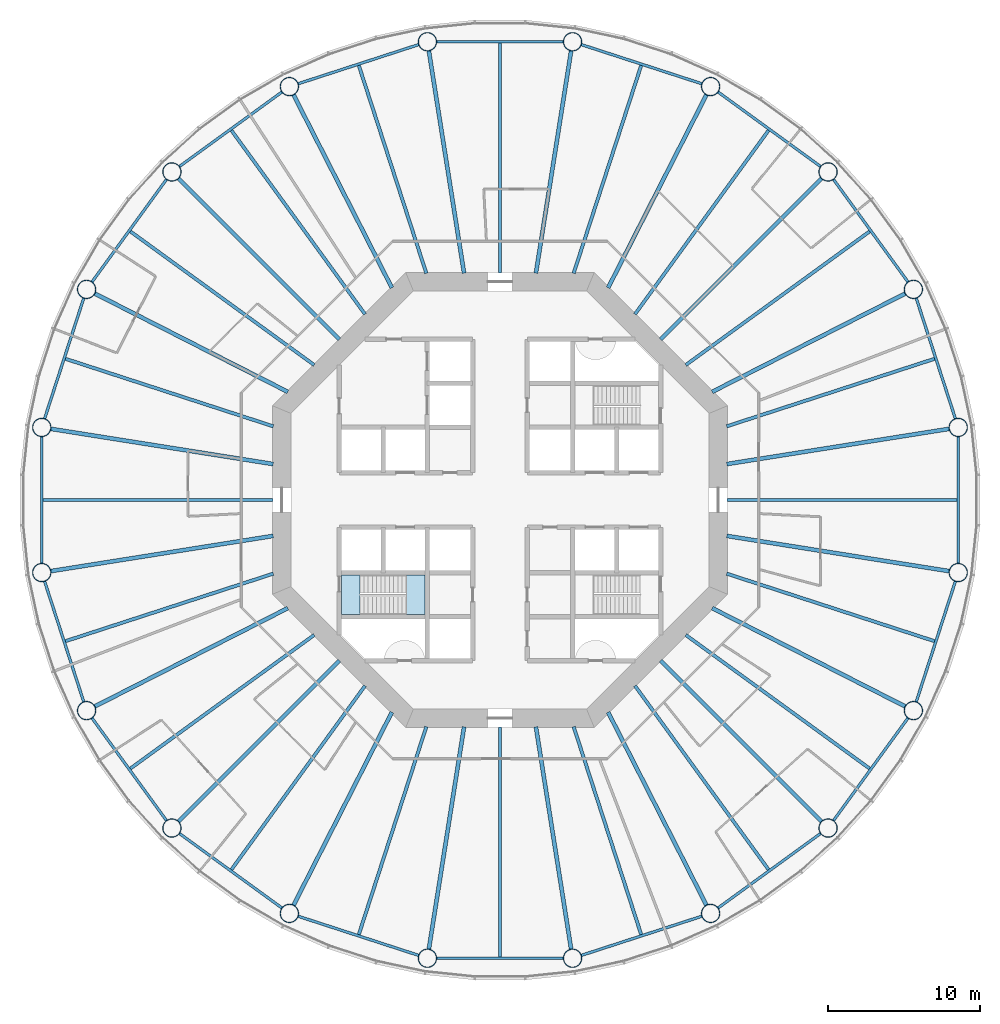
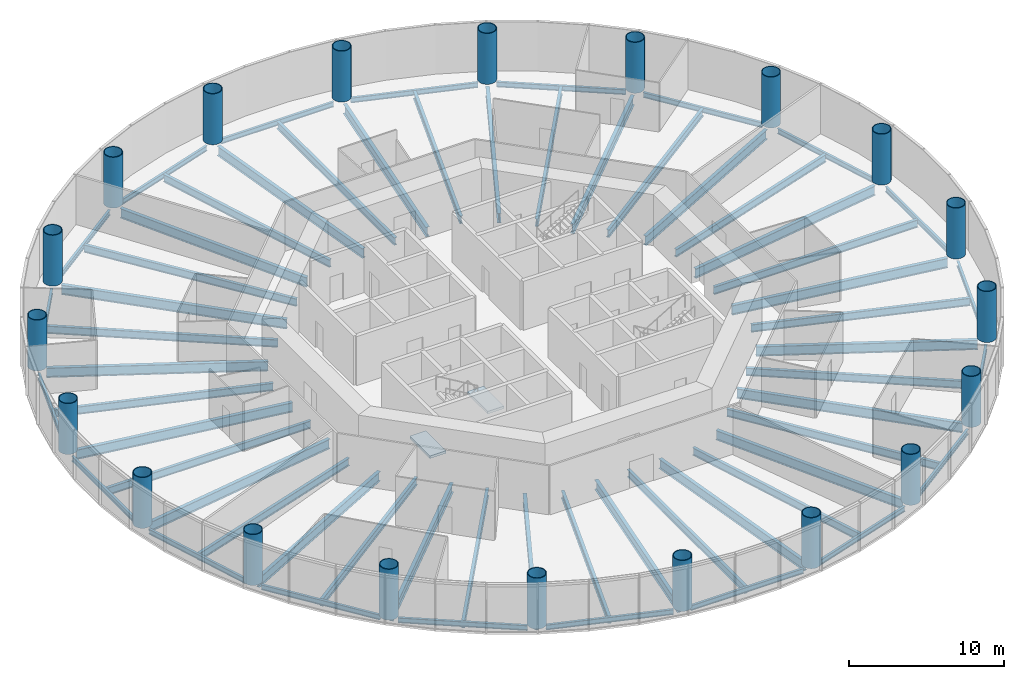
# One storey, part 1 of 13: 60 beams, 20 columns, 2 slabs, 1 element without a shape of its own.
"""IFC4 building model written with IfcOpenShell, lengths in metres."""

from ifc_helpers import new_model, si_unit, direction, frame, origin, origin_2d, place, context, subcontext, project, spatial, polyline, circle, hollow_circle, i_section, outline, extrude, material, layer, layer_set, material_profile, profile_set, type_object, element, aggregate, save


model = new_model("IFC4")

# Units and contexts
model_context = context("Model", 3, precision=1e-05, world=origin(), true_north=direction((0.0, 1.0)))
body_context = subcontext(model_context, "Body", "Model", "MODEL_VIEW")
ifc_project = project(units=[si_unit("LENGTHUNIT", "METRE"), si_unit("AREAUNIT", "SQUARE_METRE"), si_unit("VOLUMEUNIT", "CUBIC_METRE"), si_unit("PLANEANGLEUNIT", "RADIAN"), si_unit("MASSUNIT", "GRAM", prefix="KILO")], contexts=[model_context])

# Site, building, storey
site_placement = place(None, origin())
site = spatial("IfcSite", under=ifc_project, at=site_placement, CompositionType="ELEMENT")
building_placement = place(site_placement, origin())
building = spatial("IfcBuilding", under=site, at=building_placement, Name="Entoto Ring Tower", CompositionType="ELEMENT")
storey_placement = place(building_placement, frame((0.0, 0.0, 108.0)))
storey = spatial("IfcBuildingStorey", under=building, at=storey_placement, Name="L24", CompositionType="ELEMENT", Elevation=108.0)

# Columns
ifc_material_1 = material(Name="Steel S355", Category="steel")
ifc_material_profile_1 = material_profile(ifc_material_1, hollow_circle(Radius=0.625, WallThickness=0.054931640625, at=origin_2d()), Name="CHS 1250 x 55")
ifc_material_2 = material(Name="Concrete C60/75", Category="concrete")
ifc_material_profile_2 = material_profile(ifc_material_2, circle(Radius=0.570068359375, at=origin_2d()), Name="Concrete C60/75 infill")
ifc_profile_set_1 = profile_set([ifc_material_profile_1, ifc_material_profile_2], Name="Steel S355")
column_type = type_object("IfcColumnType", Name="Ring column 1250 x 55 concrete-filled tube", PredefinedType="COLUMN", material=ifc_profile_set_1)
for number, where, z_axis, x_axis, name in (
    (1, (120.22314453125, 84.786865234375, 0.0), (0.0, 0.0, 1.0), (1.0, 0.0, 0.0), "RC2 R01"),
    (2, (117.264892578125, 93.89208984375, 0.0), (0.0, 0.0, 1.0), (1.0, 0.0, 0.0), "RC2 R02"),
    (3, (111.637451171875, 101.637451171875, 0.0), (0.0, 0.0, 1.0), (1.0, 0.0, 0.0), "RC2 R03"),
    (4, (103.89208984375, 107.264892578125, 0.0), (0.0, 0.0, 1.0), (1.0, 0.0, 0.0), "RC2 R04"),
    (5, (94.786865234375, 110.22314453125, 0.0), (0.0, 0.0, 1.0), (1.0, 0.0, 0.0), "RC2 R05"),
    (6, (85.213134765625, 110.22314453125, 0.0), (0.0, 0.0, 1.0), (1.0, 0.0, 0.0), "RC2 R06"),
    (7, (76.10791015625, 107.264892578125, 0.0), (0.0, 0.0, 1.0), (1.0, 0.0, 0.0), "RC2 R07"),
    (8, (68.362548828125, 101.637451171875, 0.0), (0.0, 0.0, 1.0), (1.0, 0.0, 0.0), "RC2 R08"),
    (9, (62.735107421875, 93.89208984375, 0.0), (0.0, 0.0, 1.0), (1.0, 0.0, 0.0), "RC2 R09"),
    (10, (59.77685546875, 84.786865234375, 0.0), (0.0, 0.0, 1.0), (1.0, 0.0, 0.0), "RC2 R10"),
    (11, (59.77685546875, 75.213134765625, 0.0), (0.0, 0.0, 1.0), (1.0, 0.0, 0.0), "RC2 R11"),
    (12, (62.735107421875, 66.10791015625, 0.0), (0.0, 0.0, 1.0), (1.0, 0.0, 0.0), "RC2 R12"),
    (13, (68.362548828125, 58.362548828125, 0.0), (0.0, 0.0, 1.0), (1.0, 0.0, 0.0), "RC2 R13"),
    (14, (76.10791015625, 52.735107421875, 0.0), (0.0, 0.0, 1.0), (1.0, 0.0, 0.0), "RC2 R14"),
    (15, (85.213134765625, 49.77685546875, 0.0), (0.0, 0.0, 1.0), (1.0, 0.0, 0.0), "RC2 R15"),
    (16, (94.786865234375, 49.77685546875, 0.0), (0.0, 0.0, 1.0), (1.0, 0.0, 0.0), "RC2 R16"),
    (17, (103.89208984375, 52.735107421875, 0.0), (0.0, 0.0, 1.0), (1.0, 0.0, 0.0), "RC2 R17"),
    (18, (111.637451171875, 58.362548828125, 0.0), (0.0, 0.0, 1.0), (1.0, 0.0, 0.0), "RC2 R18"),
    (19, (117.264892578125, 66.10791015625, 0.0), (0.0, 0.0, 1.0), (1.0, 0.0, 0.0), "RC2 R19"),
    (20, (120.22314453125, 75.213134765625, 0.0), (0.0, 0.0, 1.0), (1.0, 0.0, 0.0), "RC2 R20"),
):
    element("IfcColumn", number, at=place(storey_placement, frame(where, z_axis=z_axis, x_axis=x_axis)), inside=storey, type_object=column_type, Name=name, PredefinedType="COLUMN", context=body_context, shape_type="SweptSolid", body=[
        extrude(hollow_circle(Radius=0.625, WallThickness=0.054931640625, at=origin_2d()), origin(), (0.0, 0.0, 1.0), 4.0),
    ])

# Beams
ifc_material_3 = material(Name="Steel S355", Category="steel")
ifc_material_profile_3 = material_profile(ifc_material_3, i_section(OverallWidth=0.179931640625, OverallDepth=0.39990234375, WebThickness=0.008544921875, FlangeThickness=0.013427734375, FilletRadius=0.02099609375, at=origin_2d()), Name="IPE 400")
ifc_profile_set_2 = profile_set([ifc_material_profile_3], Name="Steel S355")
beam_type_1 = type_object("IfcBeamType", Name="Edge beam IPE 400", PredefinedType="SPANDREL", material=ifc_profile_set_2)
for number, where, z_axis, x_axis, name in (
    (21, (120.038330078125, 85.35595703125, -0.35009765625), (-0.309014241039, 0.951057410904, 0.0), (-0.951057410904, -0.309014241039, 0.0), "Edge beam L24 01"),
    (22, (116.9130859375, 94.376220703125, -0.35009765625), (-0.587783458554, 0.8090182976, 0.0), (-0.8090182976, -0.587783458554, 0.0), "Edge beam L24 02"),
    (23, (111.1533203125, 101.9892578125, -0.35009765625), (-0.8090182976, 0.587783458554, 0.0), (-0.587783458554, -0.8090182976, 0.0), "Edge beam L24 03"),
    (24, (103.322998046875, 107.44970703125, -0.35009765625), (-0.951057410904, 0.309014241039, 0.0), (-0.309014241039, -0.951057410904, 0.0), "Edge beam L24 04"),
    (25, (94.1884765625, 110.22314453125, -0.35009765625), (-1.0, 0.0, 0.0), (0.0, -1.0, 0.0), "Edge beam L24 05"),
    (26, (84.64404296875, 110.038330078125, -0.35009765625), (-0.951057410904, -0.309014241039, 0.0), (0.309014241039, -0.951057410904, 0.0), "Edge beam L24 06"),
    (27, (75.623779296875, 106.9130859375, -0.35009765625), (-0.8090182976, -0.587783458554, 0.0), (0.587783458554, -0.8090182976, 0.0), "Edge beam L24 07"),
    (28, (68.0107421875, 101.1533203125, -0.35009765625), (-0.587783458554, -0.8090182976, 0.0), (0.8090182976, -0.587783458554, 0.0), "Edge beam L24 08"),
    (29, (62.55029296875, 93.322998046875, -0.35009765625), (-0.309014241039, -0.951057410904, 0.0), (0.951057410904, -0.309014241039, 0.0), "Edge beam L24 09"),
    (30, (59.77685546875, 84.1884765625, -0.35009765625), (0.0, -1.0, 0.0), (1.0, 0.0, 0.0), "Edge beam L24 10"),
    (31, (59.961669921875, 74.64404296875, -0.35009765625), (0.309014241039, -0.951057410904, 0.0), (0.951057410904, 0.309014241039, 0.0), "Edge beam L24 11"),
    (32, (63.0869140625, 65.623779296875, -0.35009765625), (0.587783458554, -0.8090182976, 0.0), (0.8090182976, 0.587783458554, 0.0), "Edge beam L24 12"),
    (33, (68.8466796875, 58.0107421875, -0.35009765625), (0.8090182976, -0.587783458554, 0.0), (0.587783458554, 0.8090182976, 0.0), "Edge beam L24 13"),
    (34, (76.677001953125, 52.55029296875, -0.35009765625), (0.951057410904, -0.309014241039, 0.0), (0.309014241039, 0.951057410904, 0.0), "Edge beam L24 14"),
    (35, (85.8115234375, 49.77685546875, -0.35009765625), (1.0, 0.0, 0.0), (0.0, 1.0, 0.0), "Edge beam L24 15"),
    (36, (95.35595703125, 49.961669921875, -0.35009765625), (0.951057410904, 0.309014241039, 0.0), (-0.309014241039, 0.951057410904, 0.0), "Edge beam L24 16"),
    (37, (104.376220703125, 53.0869140625, -0.35009765625), (0.8090182976, 0.587783458554, 0.0), (-0.587783458554, 0.8090182976, 0.0), "Edge beam L24 17"),
    (38, (111.9892578125, 58.8466796875, -0.35009765625), (0.587783458554, 0.8090182976, 0.0), (-0.8090182976, 0.587783458554, 0.0), "Edge beam L24 18"),
    (39, (117.44970703125, 66.677001953125, -0.35009765625), (0.309014241039, 0.951057410904, 0.0), (-0.951057410904, 0.309014241039, 0.0), "Edge beam L24 19"),
    (40, (120.22314453125, 75.8115234375, -0.35009765625), (0.0, 1.0, 0.0), (-1.0, 0.0, 0.0), "Edge beam L24 20"),
):
    element("IfcBeam", number, at=place(storey_placement, frame(where, z_axis=z_axis, x_axis=x_axis)), inside=storey, type_object=beam_type_1, Name=name, PredefinedType="SPANDREL", context=body_context, shape_type="SweptSolid", body=[
        extrude(i_section(OverallWidth=0.179931640625, OverallDepth=0.39990234375, WebThickness=0.008544921875, FlangeThickness=0.013427734375, FilletRadius=0.02099609375, at=origin_2d()), origin(), (0.0, 0.0, 1.0), 8.376953125),
    ])
ifc_material_4 = material(Name="Steel S355", Category="steel")
ifc_material_profile_4 = material_profile(ifc_material_4, i_section(OverallWidth=0.262939453125, OverallDepth=0.7529296875, WebThickness=0.011474609375, FlangeThickness=0.01708984375, FilletRadius=0.01708984375, at=origin_2d()), Name="IPE 750 x 137")
ifc_profile_set_3 = profile_set([ifc_material_profile_4], Name="Steel S355")
beam_type_2 = type_object("IfcBeamType", Name="Primary floor beam IPE 750 x 137", PredefinedType="BEAM", material=ifc_profile_set_3)
beam_1_placement = place(storey_placement, frame((104.959716796875, 82.369384765625, -0.526611328125), z_axis=(0.98768960451, 0.156426484787, 0.0), x_axis=(-0.156426484787, 0.98768960451, 0.0)))
element("IfcBeam", 41, at=beam_1_placement, inside=storey, type_object=beam_type_2, Name="Primary L24 R01", PredefinedType="BEAM", context=body_context, shape_type="SweptSolid", body=[
    extrude(i_section(OverallWidth=0.262939453125, OverallDepth=0.7529296875, WebThickness=0.011474609375, FlangeThickness=0.01708984375, FilletRadius=0.01708984375, at=origin_2d()), origin(), (0.0, 0.0, 1.0), 14.86279296875),
])
beam_2_placement = place(storey_placement, frame((103.9970703125, 87.1318359375, -0.526611328125), z_axis=(0.891007312585, 0.453988952421, 0.0), x_axis=(-0.453988952421, 0.891007312585, 0.0)))
element("IfcBeam", 42, at=beam_2_placement, inside=storey, type_object=beam_type_2, Name="Primary L24 R02", PredefinedType="BEAM", context=body_context, shape_type="SweptSolid", body=[
    extrude(i_section(OverallWidth=0.262939453125, OverallDepth=0.7529296875, WebThickness=0.011474609375, FlangeThickness=0.01708984375, FilletRadius=0.01708984375, at=origin_2d()), origin(), (0.0, 0.0, 1.0), 14.2998046875),
])
beam_3_placement = place(storey_placement, frame((100.592529296875, 90.592529296875, -0.526611328125), z_axis=(0.707106781187, 0.707106781187, 0.0), x_axis=(-0.707106781187, 0.707106781187, 0.0)))
element("IfcBeam", 43, at=beam_3_placement, inside=storey, type_object=beam_type_2, Name="Primary L24 R03", PredefinedType="BEAM", context=body_context, shape_type="SweptSolid", body=[
    extrude(i_section(OverallWidth=0.262939453125, OverallDepth=0.7529296875, WebThickness=0.011474609375, FlangeThickness=0.01708984375, FilletRadius=0.01708984375, at=origin_2d()), origin(), (0.0, 0.0, 1.0), 15.029052734375),
])
beam_4_placement = place(storey_placement, frame((97.1318359375, 93.9970703125, -0.526611328125), z_axis=(0.453988952421, 0.891007312585, 0.0), x_axis=(-0.891007312585, 0.453988952421, 0.0)))
element("IfcBeam", 44, at=beam_4_placement, inside=storey, type_object=beam_type_2, Name="Primary L24 R04", PredefinedType="BEAM", context=body_context, shape_type="SweptSolid", body=[
    extrude(i_section(OverallWidth=0.262939453125, OverallDepth=0.7529296875, WebThickness=0.011474609375, FlangeThickness=0.01708984375, FilletRadius=0.01708984375, at=origin_2d()), origin(), (0.0, 0.0, 1.0), 14.2998046875),
])
for number, where, z_axis, x_axis, name in (
    (45, (92.369384765625, 94.959716796875, -0.526611328125), (0.156426484787, 0.98768960451, 0.0), (-0.98768960451, 0.156426484787, 0.0), "Primary L24 R05"),
    (46, (87.630615234375, 94.959716796875, -0.526611328125), (-0.156426484787, 0.98768960451, 0.0), (-0.98768960451, -0.156426484787, 0.0), "Primary L24 R06"),
):
    element("IfcBeam", number, at=place(storey_placement, frame(where, z_axis=z_axis, x_axis=x_axis)), inside=storey, type_object=beam_type_2, Name=name, PredefinedType="BEAM", context=body_context, shape_type="SweptSolid", body=[
        extrude(i_section(OverallWidth=0.262939453125, OverallDepth=0.7529296875, WebThickness=0.011474609375, FlangeThickness=0.01708984375, FilletRadius=0.01708984375, at=origin_2d()), origin(), (0.0, 0.0, 1.0), 14.86279296875),
    ])
beam_5_placement = place(storey_placement, frame((82.8681640625, 93.9970703125, -0.526611328125), z_axis=(-0.453988952421, 0.891007312585, 0.0), x_axis=(-0.891007312585, -0.453988952421, 0.0)))
element("IfcBeam", 47, at=beam_5_placement, inside=storey, type_object=beam_type_2, Name="Primary L24 R07", PredefinedType="BEAM", context=body_context, shape_type="SweptSolid", body=[
    extrude(i_section(OverallWidth=0.262939453125, OverallDepth=0.7529296875, WebThickness=0.011474609375, FlangeThickness=0.01708984375, FilletRadius=0.01708984375, at=origin_2d()), origin(), (0.0, 0.0, 1.0), 14.2998046875),
])
beam_6_placement = place(storey_placement, frame((79.407470703125, 90.592529296875, -0.526611328125), z_axis=(-0.707106781187, 0.707106781187, 0.0), x_axis=(-0.707106781187, -0.707106781187, 0.0)))
element("IfcBeam", 48, at=beam_6_placement, inside=storey, type_object=beam_type_2, Name="Primary L24 R08", PredefinedType="BEAM", context=body_context, shape_type="SweptSolid", body=[
    extrude(i_section(OverallWidth=0.262939453125, OverallDepth=0.7529296875, WebThickness=0.011474609375, FlangeThickness=0.01708984375, FilletRadius=0.01708984375, at=origin_2d()), origin(), (0.0, 0.0, 1.0), 15.029052734375),
])
beam_7_placement = place(storey_placement, frame((76.0029296875, 87.1318359375, -0.526611328125), z_axis=(-0.891007312585, 0.453988952421, 0.0), x_axis=(-0.453988952421, -0.891007312585, 0.0)))
element("IfcBeam", 49, at=beam_7_placement, inside=storey, type_object=beam_type_2, Name="Primary L24 R09", PredefinedType="BEAM", context=body_context, shape_type="SweptSolid", body=[
    extrude(i_section(OverallWidth=0.262939453125, OverallDepth=0.7529296875, WebThickness=0.011474609375, FlangeThickness=0.01708984375, FilletRadius=0.01708984375, at=origin_2d()), origin(), (0.0, 0.0, 1.0), 14.2998046875),
])
for number, where, z_axis, x_axis, name in (
    (50, (75.040283203125, 82.369384765625, -0.526611328125), (-0.98768960451, 0.156426484787, 0.0), (-0.156426484787, -0.98768960451, 0.0), "Primary L24 R10"),
    (51, (75.040283203125, 77.630615234375, -0.526611328125), (-0.98768960451, -0.156426484787, 0.0), (0.156426484787, -0.98768960451, 0.0), "Primary L24 R11"),
):
    element("IfcBeam", number, at=place(storey_placement, frame(where, z_axis=z_axis, x_axis=x_axis)), inside=storey, type_object=beam_type_2, Name=name, PredefinedType="BEAM", context=body_context, shape_type="SweptSolid", body=[
        extrude(i_section(OverallWidth=0.262939453125, OverallDepth=0.7529296875, WebThickness=0.011474609375, FlangeThickness=0.01708984375, FilletRadius=0.01708984375, at=origin_2d()), origin(), (0.0, 0.0, 1.0), 14.86279296875),
    ])
beam_8_placement = place(storey_placement, frame((76.0029296875, 72.8681640625, -0.526611328125), z_axis=(-0.891007312585, -0.453988952421, 0.0), x_axis=(0.453988952421, -0.891007312585, 0.0)))
element("IfcBeam", 52, at=beam_8_placement, inside=storey, type_object=beam_type_2, Name="Primary L24 R12", PredefinedType="BEAM", context=body_context, shape_type="SweptSolid", body=[
    extrude(i_section(OverallWidth=0.262939453125, OverallDepth=0.7529296875, WebThickness=0.011474609375, FlangeThickness=0.01708984375, FilletRadius=0.01708984375, at=origin_2d()), origin(), (0.0, 0.0, 1.0), 14.2998046875),
])
beam_9_placement = place(storey_placement, frame((79.407470703125, 69.407470703125, -0.526611328125), z_axis=(-0.707106781187, -0.707106781187, 0.0), x_axis=(0.707106781187, -0.707106781187, 0.0)))
element("IfcBeam", 53, at=beam_9_placement, inside=storey, type_object=beam_type_2, Name="Primary L24 R13", PredefinedType="BEAM", context=body_context, shape_type="SweptSolid", body=[
    extrude(i_section(OverallWidth=0.262939453125, OverallDepth=0.7529296875, WebThickness=0.011474609375, FlangeThickness=0.01708984375, FilletRadius=0.01708984375, at=origin_2d()), origin(), (0.0, 0.0, 1.0), 15.029052734375),
])
beam_10_placement = place(storey_placement, frame((82.8681640625, 66.0029296875, -0.526611328125), z_axis=(-0.453988952421, -0.891007312585, 0.0), x_axis=(0.891007312585, -0.453988952421, 0.0)))
element("IfcBeam", 54, at=beam_10_placement, inside=storey, type_object=beam_type_2, Name="Primary L24 R14", PredefinedType="BEAM", context=body_context, shape_type="SweptSolid", body=[
    extrude(i_section(OverallWidth=0.262939453125, OverallDepth=0.7529296875, WebThickness=0.011474609375, FlangeThickness=0.01708984375, FilletRadius=0.01708984375, at=origin_2d()), origin(), (0.0, 0.0, 1.0), 14.2998046875),
])
for number, where, z_axis, x_axis, name in (
    (55, (87.630615234375, 65.040283203125, -0.526611328125), (-0.156426484787, -0.98768960451, 0.0), (0.98768960451, -0.156426484787, 0.0), "Primary L24 R15"),
    (56, (92.369384765625, 65.040283203125, -0.526611328125), (0.156426484787, -0.98768960451, 0.0), (0.98768960451, 0.156426484787, 0.0), "Primary L24 R16"),
):
    element("IfcBeam", number, at=place(storey_placement, frame(where, z_axis=z_axis, x_axis=x_axis)), inside=storey, type_object=beam_type_2, Name=name, PredefinedType="BEAM", context=body_context, shape_type="SweptSolid", body=[
        extrude(i_section(OverallWidth=0.262939453125, OverallDepth=0.7529296875, WebThickness=0.011474609375, FlangeThickness=0.01708984375, FilletRadius=0.01708984375, at=origin_2d()), origin(), (0.0, 0.0, 1.0), 14.86279296875),
    ])
beam_11_placement = place(storey_placement, frame((97.1318359375, 66.0029296875, -0.526611328125), z_axis=(0.453988952421, -0.891007312585, 0.0), x_axis=(0.891007312585, 0.453988952421, 0.0)))
element("IfcBeam", 57, at=beam_11_placement, inside=storey, type_object=beam_type_2, Name="Primary L24 R17", PredefinedType="BEAM", context=body_context, shape_type="SweptSolid", body=[
    extrude(i_section(OverallWidth=0.262939453125, OverallDepth=0.7529296875, WebThickness=0.011474609375, FlangeThickness=0.01708984375, FilletRadius=0.01708984375, at=origin_2d()), origin(), (0.0, 0.0, 1.0), 14.2998046875),
])
beam_12_placement = place(storey_placement, frame((100.592529296875, 69.407470703125, -0.526611328125), z_axis=(0.707106781187, -0.707106781187, 0.0), x_axis=(0.707106781187, 0.707106781187, 0.0)))
element("IfcBeam", 58, at=beam_12_placement, inside=storey, type_object=beam_type_2, Name="Primary L24 R18", PredefinedType="BEAM", context=body_context, shape_type="SweptSolid", body=[
    extrude(i_section(OverallWidth=0.262939453125, OverallDepth=0.7529296875, WebThickness=0.011474609375, FlangeThickness=0.01708984375, FilletRadius=0.01708984375, at=origin_2d()), origin(), (0.0, 0.0, 1.0), 15.029052734375),
])
beam_13_placement = place(storey_placement, frame((103.9970703125, 72.8681640625, -0.526611328125), z_axis=(0.891007312585, -0.453988952421, 0.0), x_axis=(0.453988952421, 0.891007312585, 0.0)))
element("IfcBeam", 59, at=beam_13_placement, inside=storey, type_object=beam_type_2, Name="Primary L24 R19", PredefinedType="BEAM", context=body_context, shape_type="SweptSolid", body=[
    extrude(i_section(OverallWidth=0.262939453125, OverallDepth=0.7529296875, WebThickness=0.011474609375, FlangeThickness=0.01708984375, FilletRadius=0.01708984375, at=origin_2d()), origin(), (0.0, 0.0, 1.0), 14.2998046875),
])
beam_14_placement = place(storey_placement, frame((104.959716796875, 77.630615234375, -0.526611328125), z_axis=(0.98768960451, -0.156426484787, 0.0), x_axis=(0.156426484787, 0.98768960451, 0.0)))
element("IfcBeam", 60, at=beam_14_placement, inside=storey, type_object=beam_type_2, Name="Primary L24 R20", PredefinedType="BEAM", context=body_context, shape_type="SweptSolid", body=[
    extrude(i_section(OverallWidth=0.262939453125, OverallDepth=0.7529296875, WebThickness=0.011474609375, FlangeThickness=0.01708984375, FilletRadius=0.01708984375, at=origin_2d()), origin(), (0.0, 0.0, 1.0), 14.86279296875),
])
ifc_material_5 = material(Name="Steel S355", Category="steel")
ifc_material_profile_5 = material_profile(ifc_material_5, i_section(OverallWidth=0.219970703125, OverallDepth=0.60009765625, WebThickness=0.011962890625, FlangeThickness=0.01904296875, FilletRadius=0.02392578125, at=origin_2d()), Name="IPE 600")
ifc_profile_set_4 = profile_set([ifc_material_profile_5], Name="Steel S355")
beam_type_3 = type_object("IfcBeamType", Name="Secondary floor beam IPE 600", PredefinedType="JOIST", material=ifc_profile_set_4)
beam_15_placement = place(storey_placement, frame((104.947021484375, 84.856689453125, -0.449951171875), z_axis=(0.951057212949, 0.309014850288, 0.0), x_axis=(-0.309014850288, 0.951057212949, 0.0)))
element("IfcBeam", 61, at=beam_15_placement, inside=storey, type_object=beam_type_3, Name="Secondary beam L24 01", PredefinedType="JOIST", context=body_context, shape_type="SweptSolid", body=[
    extrude(i_section(OverallWidth=0.219970703125, OverallDepth=0.60009765625, WebThickness=0.011962890625, FlangeThickness=0.01904296875, FilletRadius=0.02392578125, at=origin_2d()), origin(), (0.0, 0.0, 1.0), 14.4169921875),
])
for number, where, z_axis, x_axis, name in (
    (62, (102.25634765625, 88.90478515625, -0.449951171875), (0.809019238239, 0.587782163866, 0.0), (-0.587782163866, 0.809019238239, 0.0), "Secondary beam L24 02"),
    (63, (98.90478515625, 92.25634765625, -0.449951171875), (0.587782163866, 0.809019238239, 0.0), (-0.809019238239, 0.587782163866, 0.0), "Secondary beam L24 03"),
):
    element("IfcBeam", number, at=place(storey_placement, frame(where, z_axis=z_axis, x_axis=x_axis)), inside=storey, type_object=beam_type_3, Name=name, PredefinedType="JOIST", context=body_context, shape_type="SweptSolid", body=[
        extrude(i_section(OverallWidth=0.219970703125, OverallDepth=0.60009765625, WebThickness=0.011962890625, FlangeThickness=0.01904296875, FilletRadius=0.02392578125, at=origin_2d()), origin(), (0.0, 0.0, 1.0), 14.983642578125),
    ])
beam_16_placement = place(storey_placement, frame((94.856689453125, 94.947021484375, -0.449951171875), z_axis=(0.309014850288, 0.951057212949, 0.0), x_axis=(-0.951057212949, 0.309014850288, 0.0)))
element("IfcBeam", 64, at=beam_16_placement, inside=storey, type_object=beam_type_3, Name="Secondary beam L24 04", PredefinedType="JOIST", context=body_context, shape_type="SweptSolid", body=[
    extrude(i_section(OverallWidth=0.219970703125, OverallDepth=0.60009765625, WebThickness=0.011962890625, FlangeThickness=0.01904296875, FilletRadius=0.02392578125, at=origin_2d()), origin(), (0.0, 0.0, 1.0), 14.4169921875),
])
beam_17_placement = place(storey_placement, frame((90.0, 94.97998046875, -0.449951171875), z_axis=(0.0, 1.0, 0.0), x_axis=(-1.0, 0.0, 0.0)))
element("IfcBeam", 65, at=beam_17_placement, inside=storey, type_object=beam_type_3, Name="Secondary beam L24 05", PredefinedType="JOIST", context=body_context, shape_type="SweptSolid", body=[
    extrude(i_section(OverallWidth=0.219970703125, OverallDepth=0.60009765625, WebThickness=0.011962890625, FlangeThickness=0.01904296875, FilletRadius=0.02392578125, at=origin_2d()), origin(), (0.0, 0.0, 1.0), 15.1533203125),
])
beam_18_placement = place(storey_placement, frame((85.143310546875, 94.947021484375, -0.449951171875), z_axis=(-0.309014850288, 0.951057212949, 0.0), x_axis=(-0.951057212949, -0.309014850288, 0.0)))
element("IfcBeam", 66, at=beam_18_placement, inside=storey, type_object=beam_type_3, Name="Secondary beam L24 06", PredefinedType="JOIST", context=body_context, shape_type="SweptSolid", body=[
    extrude(i_section(OverallWidth=0.219970703125, OverallDepth=0.60009765625, WebThickness=0.011962890625, FlangeThickness=0.01904296875, FilletRadius=0.02392578125, at=origin_2d()), origin(), (0.0, 0.0, 1.0), 14.4169921875),
])
for number, where, z_axis, x_axis, name in (
    (67, (81.09521484375, 92.25634765625, -0.449951171875), (-0.587782163866, 0.809019238239, 0.0), (-0.809019238239, -0.587782163866, 0.0), "Secondary beam L24 07"),
    (68, (77.74365234375, 88.90478515625, -0.449951171875), (-0.809019238239, 0.587782163866, 0.0), (-0.587782163866, -0.809019238239, 0.0), "Secondary beam L24 08"),
):
    element("IfcBeam", number, at=place(storey_placement, frame(where, z_axis=z_axis, x_axis=x_axis)), inside=storey, type_object=beam_type_3, Name=name, PredefinedType="JOIST", context=body_context, shape_type="SweptSolid", body=[
        extrude(i_section(OverallWidth=0.219970703125, OverallDepth=0.60009765625, WebThickness=0.011962890625, FlangeThickness=0.01904296875, FilletRadius=0.02392578125, at=origin_2d()), origin(), (0.0, 0.0, 1.0), 14.983642578125),
    ])
beam_19_placement = place(storey_placement, frame((75.052978515625, 84.856689453125, -0.449951171875), z_axis=(-0.951057212949, 0.309014850288, 0.0), x_axis=(-0.309014850288, -0.951057212949, 0.0)))
element("IfcBeam", 69, at=beam_19_placement, inside=storey, type_object=beam_type_3, Name="Secondary beam L24 09", PredefinedType="JOIST", context=body_context, shape_type="SweptSolid", body=[
    extrude(i_section(OverallWidth=0.219970703125, OverallDepth=0.60009765625, WebThickness=0.011962890625, FlangeThickness=0.01904296875, FilletRadius=0.02392578125, at=origin_2d()), origin(), (0.0, 0.0, 1.0), 14.4169921875),
])
beam_20_placement = place(storey_placement, frame((75.02001953125, 80.0, -0.449951171875), z_axis=(-1.0, 0.0, 0.0), x_axis=(0.0, -1.0, 0.0)))
element("IfcBeam", 70, at=beam_20_placement, inside=storey, type_object=beam_type_3, Name="Secondary beam L24 10", PredefinedType="JOIST", context=body_context, shape_type="SweptSolid", body=[
    extrude(i_section(OverallWidth=0.219970703125, OverallDepth=0.60009765625, WebThickness=0.011962890625, FlangeThickness=0.01904296875, FilletRadius=0.02392578125, at=origin_2d()), origin(), (0.0, 0.0, 1.0), 15.1533203125),
])
beam_21_placement = place(storey_placement, frame((75.052978515625, 75.143310546875, -0.449951171875), z_axis=(-0.951057212949, -0.309014850288, 0.0), x_axis=(0.309014850288, -0.951057212949, 0.0)))
element("IfcBeam", 71, at=beam_21_placement, inside=storey, type_object=beam_type_3, Name="Secondary beam L24 11", PredefinedType="JOIST", context=body_context, shape_type="SweptSolid", body=[
    extrude(i_section(OverallWidth=0.219970703125, OverallDepth=0.60009765625, WebThickness=0.011962890625, FlangeThickness=0.01904296875, FilletRadius=0.02392578125, at=origin_2d()), origin(), (0.0, 0.0, 1.0), 14.4169921875),
])
for number, where, z_axis, x_axis, name in (
    (72, (77.74365234375, 71.09521484375, -0.449951171875), (-0.809019238239, -0.587782163866, 0.0), (0.587782163866, -0.809019238239, 0.0), "Secondary beam L24 12"),
    (73, (81.09521484375, 67.74365234375, -0.449951171875), (-0.587782163866, -0.809019238239, 0.0), (0.809019238239, -0.587782163866, 0.0), "Secondary beam L24 13"),
):
    element("IfcBeam", number, at=place(storey_placement, frame(where, z_axis=z_axis, x_axis=x_axis)), inside=storey, type_object=beam_type_3, Name=name, PredefinedType="JOIST", context=body_context, shape_type="SweptSolid", body=[
        extrude(i_section(OverallWidth=0.219970703125, OverallDepth=0.60009765625, WebThickness=0.011962890625, FlangeThickness=0.01904296875, FilletRadius=0.02392578125, at=origin_2d()), origin(), (0.0, 0.0, 1.0), 14.983642578125),
    ])
beam_22_placement = place(storey_placement, frame((85.143310546875, 65.052978515625, -0.449951171875), z_axis=(-0.309014850288, -0.951057212949, 0.0), x_axis=(0.951057212949, -0.309014850288, 0.0)))
element("IfcBeam", 74, at=beam_22_placement, inside=storey, type_object=beam_type_3, Name="Secondary beam L24 14", PredefinedType="JOIST", context=body_context, shape_type="SweptSolid", body=[
    extrude(i_section(OverallWidth=0.219970703125, OverallDepth=0.60009765625, WebThickness=0.011962890625, FlangeThickness=0.01904296875, FilletRadius=0.02392578125, at=origin_2d()), origin(), (0.0, 0.0, 1.0), 14.4169921875),
])
beam_23_placement = place(storey_placement, frame((90.0, 65.02001953125, -0.449951171875), z_axis=(0.0, -1.0, 0.0), x_axis=(1.0, 0.0, 0.0)))
element("IfcBeam", 75, at=beam_23_placement, inside=storey, type_object=beam_type_3, Name="Secondary beam L24 15", PredefinedType="JOIST", context=body_context, shape_type="SweptSolid", body=[
    extrude(i_section(OverallWidth=0.219970703125, OverallDepth=0.60009765625, WebThickness=0.011962890625, FlangeThickness=0.01904296875, FilletRadius=0.02392578125, at=origin_2d()), origin(), (0.0, 0.0, 1.0), 15.1533203125),
])
beam_24_placement = place(storey_placement, frame((94.856689453125, 65.052978515625, -0.449951171875), z_axis=(0.309014850288, -0.951057212949, 0.0), x_axis=(0.951057212949, 0.309014850288, 0.0)))
element("IfcBeam", 76, at=beam_24_placement, inside=storey, type_object=beam_type_3, Name="Secondary beam L24 16", PredefinedType="JOIST", context=body_context, shape_type="SweptSolid", body=[
    extrude(i_section(OverallWidth=0.219970703125, OverallDepth=0.60009765625, WebThickness=0.011962890625, FlangeThickness=0.01904296875, FilletRadius=0.02392578125, at=origin_2d()), origin(), (0.0, 0.0, 1.0), 14.4169921875),
])
for number, where, z_axis, x_axis, name in (
    (77, (98.90478515625, 67.74365234375, -0.449951171875), (0.587782163866, -0.809019238239, 0.0), (0.809019238239, 0.587782163866, 0.0), "Secondary beam L24 17"),
    (78, (102.25634765625, 71.09521484375, -0.449951171875), (0.809019238239, -0.587782163866, 0.0), (0.587782163866, 0.809019238239, 0.0), "Secondary beam L24 18"),
):
    element("IfcBeam", number, at=place(storey_placement, frame(where, z_axis=z_axis, x_axis=x_axis)), inside=storey, type_object=beam_type_3, Name=name, PredefinedType="JOIST", context=body_context, shape_type="SweptSolid", body=[
        extrude(i_section(OverallWidth=0.219970703125, OverallDepth=0.60009765625, WebThickness=0.011962890625, FlangeThickness=0.01904296875, FilletRadius=0.02392578125, at=origin_2d()), origin(), (0.0, 0.0, 1.0), 14.983642578125),
    ])
beam_25_placement = place(storey_placement, frame((104.947021484375, 75.143310546875, -0.449951171875), z_axis=(0.951057212949, -0.309014850288, 0.0), x_axis=(0.309014850288, 0.951057212949, 0.0)))
element("IfcBeam", 79, at=beam_25_placement, inside=storey, type_object=beam_type_3, Name="Secondary beam L24 19", PredefinedType="JOIST", context=body_context, shape_type="SweptSolid", body=[
    extrude(i_section(OverallWidth=0.219970703125, OverallDepth=0.60009765625, WebThickness=0.011962890625, FlangeThickness=0.01904296875, FilletRadius=0.02392578125, at=origin_2d()), origin(), (0.0, 0.0, 1.0), 14.4169921875),
])
beam_26_placement = place(storey_placement, frame((104.97998046875, 80.0, -0.449951171875), z_axis=(1.0, 0.0, 0.0), x_axis=(0.0, 1.0, 0.0)))
element("IfcBeam", 80, at=beam_26_placement, inside=storey, type_object=beam_type_3, Name="Secondary beam L24 20", PredefinedType="JOIST", context=body_context, shape_type="SweptSolid", body=[
    extrude(i_section(OverallWidth=0.219970703125, OverallDepth=0.60009765625, WebThickness=0.011962890625, FlangeThickness=0.01904296875, FilletRadius=0.02392578125, at=origin_2d()), origin(), (0.0, 0.0, 1.0), 15.1533203125),
])

# Stair, slabs
ifc_material_6 = material(Name="Concrete C40/50", Category="concrete")
stair_type = type_object("IfcStairType", Name="Exit stair 1200 mm dog-leg reinforced concrete", PredefinedType="HALF_TURN_STAIR", material=ifc_material_6)
stair_placement = place(storey_placement, origin())
stair = element("IfcStair", 81, at=stair_placement, inside=storey, type_object=stair_type, Name="Exit stair 2", PredefinedType="HALF_TURN_STAIR")
ifc_material_7 = material(Name="Concrete C40/50", Category="concrete")
ifc_layer = layer(ifc_material_7, 0.199951171875)
ifc_layer_set = layer_set([ifc_layer], Name="Concrete C40/50")
slab_type = type_object("IfcSlabType", Name="Stair landing 200 mm reinforced concrete", PredefinedType="LANDING", material=ifc_layer_set)
slab_1_placement = place(storey_placement, frame((0.0, 0.0, -0.199951171875)))
slab_1 = element("IfcSlab", 82, at=slab_1_placement, type_object=slab_type, Name="ST2 landing 1", PredefinedType="LANDING", context=body_context, shape_type="SweptSolid", body=[
    extrude(outline(polyline([(80.75, 72.449951171875), (80.75, 75.050048828125), (79.550048828125, 75.050048828125), (79.550048828125, 72.449951171875), (80.75, 72.449951171875)])), origin(), (0.0, 0.0, 1.0), 0.199951171875),
])
slab_2_placement = place(storey_placement, frame((0.0, 0.0, 1.800048828125)))
slab_2 = element("IfcSlab", 83, at=slab_2_placement, type_object=slab_type, Name="ST2 landing 2", PredefinedType="LANDING", context=body_context, shape_type="SweptSolid", body=[
    extrude(outline(polyline([(83.830078125, 72.449951171875), (85.050048828125, 72.449951171875), (85.050048828125, 75.050048828125), (83.830078125, 75.050048828125), (83.830078125, 72.449951171875)])), origin(), (0.0, 0.0, 1.0), 0.199951171875),
])
aggregate(stair, [slab_1, slab_2])

save(model, "model.ifc")
